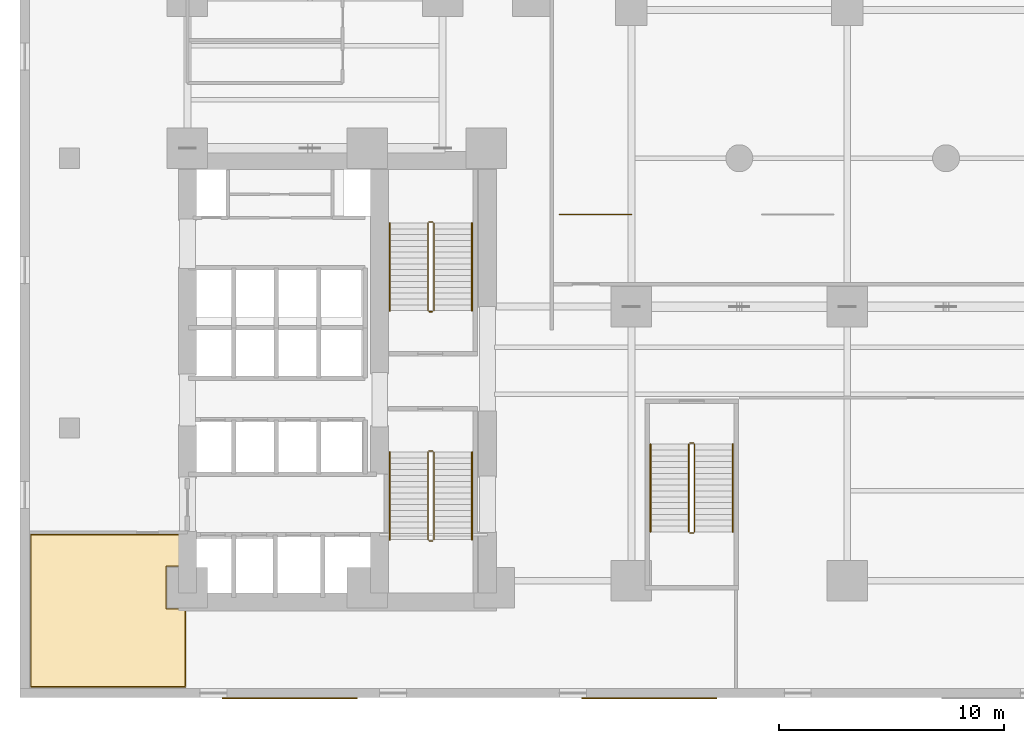
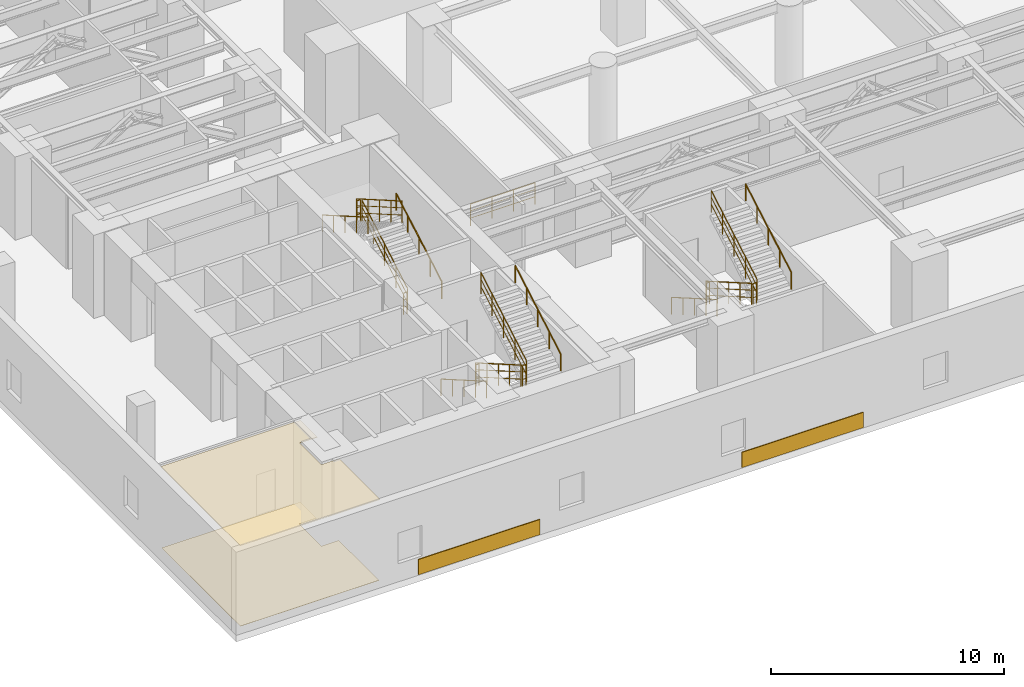
# One storey, part 17 of 18: 19 railings, 4 coverings.
"""IFC4 building model written with IfcOpenShell, lengths in metres."""

import ifcopenshell
import ifcopenshell.guid

model = None  # the IFC model being written
_history = None  # IfcOwnerHistory: only IFC2X3 demands one
_inside = {}  # id of a spatial element -> (the spatial element, [elements in it])
_under = {}  # id of a project, library or spatial element -> (it, [spatial elements below it])
_declared = {}  # id of a project -> (the project, [libraries it declares])
_typed = {}  # id of a type object -> (the type object, [elements of that type])
_made_of = {}  # id of a material, layer set ... -> (it, [elements and type objects made of it])


def new_model(schema):
    """Start an empty IFC model of exactly this schema.

    Asked for "IFC4X3", IfcOpenShell would pick the latest addendum, in which some entities
    have other attributes; the version numbers below select the first issue.
    IFC2X3 requires an IfcOwnerHistory on every rooted entity: one is made here for all.
    """
    global model, _history
    if schema == "IFC4X3":
        model = ifcopenshell.file(schema_version=(4, 3, 0, 0))
    else:
        model = ifcopenshell.file(schema=schema)
    _inside.clear()
    _under.clear()
    _declared.clear()
    _typed.clear()
    _made_of.clear()
    _history = None
    if model.schema == "IFC2X3":
        org = make("IfcOrganization", Name="unknown")
        user = make(
            "IfcPersonAndOrganization",
            ThePerson=make("IfcPerson", FamilyName="unknown"),
            TheOrganization=org,
        )
        app = make(
            "IfcApplication",
            ApplicationDeveloper=org,
            Version="unknown",
            ApplicationFullName="unknown",
            ApplicationIdentifier="unknown",
        )
        _history = make(
            "IfcOwnerHistory",
            OwningUser=user,
            OwningApplication=app,
            ChangeAction="ADDED",
            CreationDate=0,
        )
    return model


def make(cls, **values):
    """One entity of the class cls with the attributes given. An attribute that is None is left unset."""
    return model.create_entity(
        cls, **{name: value for name, value in values.items() if value is not None}
    )


def rooted(cls, **values):
    """An entity with a GlobalId (a new one), such as an element, a storey or a relation."""
    return make(cls, GlobalId=ifcopenshell.guid.new(), OwnerHistory=_history, **values)


def si_unit(unit_type, name, prefix=None):
    """IfcSIUnit, for example si_unit("LENGTHUNIT", "METRE", prefix="MILLI")."""
    return make("IfcSIUnit", UnitType=unit_type, Prefix=prefix, Name=name)


def assignment(units):
    """IfcUnitAssignment: the units of a project."""
    return None if units is None else make("IfcUnitAssignment", Units=units)


def point(xyz):
    """IfcCartesianPoint."""
    return None if xyz is None else make("IfcCartesianPoint", Coordinates=xyz)


def direction(xyz):
    """IfcDirection."""
    return None if xyz is None else make("IfcDirection", DirectionRatios=xyz)


def frame(location, z_axis=None, x_axis=None):
    """IfcAxis2Placement3D, a coordinate frame: its origin and axes. An axis left out is left unset."""
    return make(
        "IfcAxis2Placement3D",
        Location=point(location),
        Axis=direction(z_axis),
        RefDirection=direction(x_axis),
    )


def frame_2d(location, x_axis=None):
    """IfcAxis2Placement2D, a coordinate frame in the plane: its origin and x axis."""
    return make(
        "IfcAxis2Placement2D", Location=point(location), RefDirection=direction(x_axis)
    )


def origin():
    """The frame at (0, 0, 0) with its axes left unset."""
    return frame((0.0, 0.0, 0.0))


def origin_2d():
    """The frame at (0, 0) in the plane with its x axis left unset."""
    return frame_2d((0.0, 0.0))


def place(relative_to, where):
    """IfcLocalPlacement: puts the frame where relative to a parent placement (None: the world)."""
    return make(
        "IfcLocalPlacement", PlacementRelTo=relative_to, RelativePlacement=where
    )


def context(
    kind, dimensions, precision=None, world=None, true_north=None, identifier=None
):
    """IfcGeometricRepresentationContext, for example the 3D "Model" context."""
    return make(
        "IfcGeometricRepresentationContext",
        ContextIdentifier=identifier,
        ContextType=kind,
        CoordinateSpaceDimension=dimensions,
        Precision=precision,
        WorldCoordinateSystem=world,
        TrueNorth=true_north,
    )


def subcontext(parent, identifier, kind, view, scale=None):
    """IfcGeometricRepresentationSubContext, for example "Body" below "Model"."""
    return make(
        "IfcGeometricRepresentationSubContext",
        ContextIdentifier=identifier,
        ContextType=kind,
        ParentContext=parent,
        TargetScale=scale,
        TargetView=view,
    )


def project(units=None, contexts=None):
    """IfcProject with its units and contexts."""
    return rooted(
        "IfcProject",
        Name="project",
        RepresentationContexts=contexts,
        UnitsInContext=assignment(units),
    )


def spatial(cls, under=None, at=None, **own):
    """A site, building, storey or space (cls), placed at a placement, below another one or the project."""
    s = rooted(cls, ObjectPlacement=at, **own)
    if under is not None:
        _under.setdefault(under.id(), (under, []))[1].append(s)
    return s


def polyline(points):
    """IfcPolyline through the points."""
    return make("IfcPolyline", Points=[point(p) for p in points])


def profile(cls, at=None, kind="AREA", **sizes):
    """A parametric profile (cls). Its sizes go by their IFC names, for example OverallWidth=200.0."""
    return make(cls, ProfileType=kind, Position=at, **sizes)


def rectangle(**sizes):
    """IfcRectangleProfileDef."""
    return profile("IfcRectangleProfileDef", **sizes)


def circle(**sizes):
    """IfcCircleProfileDef."""
    return profile("IfcCircleProfileDef", **sizes)


def outline(outer, holes=None, kind="AREA"):
    """IfcArbitraryClosedProfileDef: a profile drawn as a closed curve; with holes, ...WithVoids."""
    if holes is None:
        return make("IfcArbitraryClosedProfileDef", ProfileType=kind, OuterCurve=outer)
    return make(
        "IfcArbitraryProfileDefWithVoids",
        ProfileType=kind,
        OuterCurve=outer,
        InnerCurves=holes,
    )


def extrude(swept, where, along, depth):
    """IfcExtrudedAreaSolid: the profile swept, set in the frame where, extruded along a direction by depth."""
    return make(
        "IfcExtrudedAreaSolid",
        SweptArea=swept,
        Position=where,
        ExtrudedDirection=direction(along),
        Depth=depth,
    )


def shape(context_of_items, identifier, shape_type, items):
    """IfcShapeRepresentation: the items that make up one representation, for example the "Body"."""
    return make(
        "IfcShapeRepresentation",
        ContextOfItems=context_of_items,
        RepresentationIdentifier=identifier,
        RepresentationType=shape_type,
        Items=items,
    )


def material(Name=None, Category=None):
    """IfcMaterial."""
    return make("IfcMaterial", Name=Name, Category=Category)


def layer(
    of_material, thickness, ventilated=None, Name=None, Category=None, Priority=None
):
    """IfcMaterialLayer: one layer of a wall or slab, of a material (None: an air gap)."""
    return make(
        "IfcMaterialLayer",
        Material=of_material,
        LayerThickness=thickness,
        IsVentilated=ventilated,
        Name=Name,
        Category=Category,
        Priority=Priority,
    )


def layer_set(layers, Name=None):
    """IfcMaterialLayerSet."""
    return make("IfcMaterialLayerSet", MaterialLayers=layers, LayerSetName=Name)


def made_of(thing, what):
    """Note that an element or type object is made of a material, layer set ...; save() writes the relation."""
    if what is not None:
        _made_of.setdefault(what.id(), (what, []))[1].append(thing)
    return thing


def type_object(cls, material=None, **own):
    """A type object (cls), such as IfcWallType, which elements share."""
    return made_of(rooted(cls, **own), material)


def element(
    cls,
    number,
    at=None,
    inside=None,
    cuts=None,
    type_object=None,
    material=None,
    context=None,
    identifier="Body",
    shape_type=None,
    held_by="IfcProductDefinitionShape",
    body=None,
    shapes=None,
    **own,
):
    """One element of the class cls, such as IfcWall. Its Tag is "e" and its number.

    at: its placement. inside: the storey or other place that contains it. cuts: it is an
    opening in that element (IfcRelVoidsElement). A single representation is given by context,
    identifier, shape_type and body (its items); several are given by shapes. held_by: the class
    of the entity that holds the representations. save() writes the other relations.
    """
    e = rooted(cls, Tag="e%d" % number, ObjectPlacement=at, **own)
    if body is not None:
        shapes = [shape(context, identifier, shape_type, body)]
    if shapes is not None:
        e.Representation = make(held_by, Representations=shapes)
    if inside is not None:
        _inside.setdefault(inside.id(), (inside, []))[1].append(e)
    if cuts is not None:
        rooted(
            "IfcRelVoidsElement", RelatingBuildingElement=cuts, RelatedOpeningElement=e
        )
    if type_object is not None:
        _typed.setdefault(type_object.id(), (type_object, []))[1].append(e)
    return made_of(e, material)


def aggregate(whole, parts):
    """IfcRelAggregates: a whole, such as a stair, and the parts it consists of."""
    return rooted("IfcRelAggregates", RelatingObject=whole, RelatedObjects=parts)


def save(model, path):
    """Write the relations noted so far, then the file.

    IfcRelAggregates (storeys below a building ...), IfcRelContainedInSpatialStructure (elements
    in a storey), IfcRelDefinesByType, IfcRelAssociatesMaterial and IfcRelDeclares: one each for
    every whole, place, type object, material and project.
    """
    for whole, parts in _under.values():
        aggregate(whole, parts)
    for where, things in _inside.values():
        rooted(
            "IfcRelContainedInSpatialStructure",
            RelatedElements=things,
            RelatingStructure=where,
        )
    for kind, things in _typed.values():
        rooted("IfcRelDefinesByType", RelatedObjects=things, RelatingType=kind)
    for what, things in _made_of.values():
        rooted("IfcRelAssociatesMaterial", RelatedObjects=things, RelatingMaterial=what)
    for by, libraries in _declared.values():
        rooted("IfcRelDeclares", RelatingContext=by, RelatedDefinitions=libraries)
    model.write(path)


model = new_model("IFC4")

# Units and contexts
model_context = context("Model", 3, precision=1e-05, world=origin(), true_north=direction((0.0, 1.0)))
body_context = subcontext(model_context, "Body", "Model", "MODEL_VIEW")
ifc_project = project(units=[si_unit("LENGTHUNIT", "METRE"), si_unit("AREAUNIT", "SQUARE_METRE"), si_unit("VOLUMEUNIT", "CUBIC_METRE"), si_unit("PLANEANGLEUNIT", "RADIAN"), si_unit("MASSUNIT", "GRAM", prefix="KILO")], contexts=[model_context])

# Site, building, storey
site_placement = place(None, origin())
site = spatial("IfcSite", under=ifc_project, at=site_placement, CompositionType="ELEMENT")
building_placement = place(site_placement, origin())
building = spatial("IfcBuilding", under=site, at=building_placement, Name="Kolvaren Waterfront Exchange", CompositionType="ELEMENT")
storey_placement = place(building_placement, frame((0.0, 0.0, 24.800048828125)))
storey = spatial("IfcBuildingStorey", under=building, at=storey_placement, Name="L06", CompositionType="ELEMENT", Elevation=24.800048828125)

# Railing
ifc_material_1 = material(Name="Anodised bronze aluminium and laminated glass", Category="aluminium")
railing_type_1 = type_object("IfcRailingType", Name="ARC-BALUSTRADE-1150", PredefinedType="BALUSTRADE", material=ifc_material_1)
railing_1_placement = place(storey_placement, frame((24.0, 21.5, 0.0)))
element("IfcRailing", 1, at=railing_1_placement, inside=storey, type_object=railing_type_1, Name="L06 gallery balustrade 1", PredefinedType="BALUSTRADE", context=body_context, shape_type="SweptSolid", body=[
    extrude(circle(Radius=0.02392578125, at=origin_2d()), frame((0.0, 0.0, 1.1259765625), z_axis=(1.0, 0.0, 0.0), x_axis=(0.0, 1.0, 0.0)), (0.0, 0.0, 1.0), 3.199951171875),
    extrude(circle(Radius=0.01611328125, at=origin_2d()), frame((0.0, 0.0, 0.390869140625), z_axis=(1.0, 0.0, 0.0), x_axis=(0.0, 1.0, 0.0)), (0.0, 0.0, 1.0), 3.199951171875),
    extrude(circle(Radius=0.01611328125, at=origin_2d()), frame((0.0, 0.0, 0.7705078125), z_axis=(1.0, 0.0, 0.0), x_axis=(0.0, 1.0, 0.0)), (0.0, 0.0, 1.0), 3.199951171875),
    extrude(circle(Radius=0.02099609375, at=origin_2d()), origin(), (0.0, 0.0, 1.0), 1.101806640625),
    extrude(circle(Radius=0.02099609375, at=origin_2d()), frame((1.066650390625, 0.0, 0.0)), (0.0, 0.0, 1.0), 1.101806640625),
    extrude(circle(Radius=0.02099609375, at=origin_2d()), frame((2.13330078125, 0.0, 0.0)), (0.0, 0.0, 1.0), 1.101806640625),
    extrude(circle(Radius=0.02099609375, at=origin_2d()), frame((3.199951171875, 0.0, 0.0)), (0.0, 0.0, 1.0), 1.101806640625),
])

# Coverings
ifc_material_2 = material(Name="Mineral fibre acoustic ceiling tile")
ifc_layer_1 = layer(ifc_material_2, 0.02490234375, Name="Mineral fibre acoustic ceiling tile")
ifc_layer_set_1 = layer_set([ifc_layer_1], Name="Mineral fibre acoustic ceiling tile")
covering_type_1 = type_object("IfcCoveringType", Name="ARC-CEIL-ACOUSTIC-25", PredefinedType="CEILING", material=ifc_layer_set_1)
covering_1_placement = place(storey_placement, frame((0.0, 0.0, 4.23486328125)))
element("IfcCovering", 2, at=covering_1_placement, inside=storey, type_object=covering_type_1, Name="L06 acoustic suspended ceiling 1", PredefinedType="CEILING", context=body_context, shape_type="SweptSolid", body=[
    extrude(outline(polyline([(7.385009765625, 3.9599609375), (6.510009765625, 3.9599609375), (6.510009765625, 5.840087890625), (7.385009765625, 5.840087890625), (7.385009765625, 7.284912109375), (0.465087890625, 7.284912109375), (0.465087890625, 0.465087890625), (7.385009765625, 0.465087890625), (7.385009765625, 3.9599609375)])), origin(), (0.0, 0.0, 1.0), 0.025146484375),
])
ifc_material_3 = material(Name="Honed grey-taupe granite stone", Category="masonry")
ifc_layer_2 = layer(ifc_material_3, 0.044921875, Name="Honed grey-taupe granite stone")
ifc_layer_set_2 = layer_set([ifc_layer_2], Name="Honed grey-taupe granite stone")
covering_type_2 = type_object("IfcCoveringType", Name="ARC-CLAD-GRANITE-45", PredefinedType="CLADDING", material=ifc_layer_set_2)
for number, where, z_axis, x_axis, name in (
    (3, (12.0, -0.02001953125, 0.0498046875), (0.0, 0.0, 1.0), (1.0, 0.0, 0.0), "L06 honed grey-taupe granite spandrel cladding S1"),
    (4, (28.0, -0.02001953125, 0.0498046875), (0.0, 0.0, 1.0), (1.0, 0.0, 0.0), "L06 honed grey-taupe granite spandrel cladding S2"),
):
    element("IfcCovering", number, at=place(storey_placement, frame(where, z_axis=z_axis, x_axis=x_axis)), inside=storey, type_object=covering_type_2, Name=name, PredefinedType="CLADDING", context=body_context, shape_type="SweptSolid", body=[
        extrude(rectangle(XDim=6.0, YDim=0.044921875, at=origin_2d()), origin(), (0.0, 0.0, 1.0), 0.800048828125),
    ])
ifc_material_4 = material(Name="Slip-resistant porcelain tile")
ifc_layer_3 = layer(ifc_material_4, 0.014892578125, Name="Slip-resistant porcelain tile")
ifc_layer_set_3 = layer_set([ifc_layer_3], Name="Slip-resistant porcelain tile")
covering_type_3 = type_object("IfcCoveringType", Name="ARC-FLR-PORC-15", PredefinedType="FLOORING", material=ifc_layer_set_3)
covering_2_placement = place(storey_placement, origin())
element("IfcCovering", 5, at=covering_2_placement, inside=storey, type_object=covering_type_3, Name="L06 floor finish 1", PredefinedType="FLOORING", context=body_context, shape_type="SweptSolid", body=[
    extrude(outline(polyline([(0.5, 7.25), (0.5, 0.5), (7.35009765625, 0.5), (7.35009765625, 3.93994140625), (6.489990234375, 3.93994140625), (6.489990234375, 5.860107421875), (7.35009765625, 5.860107421875), (7.35009765625, 7.25), (0.5, 7.25)])), origin(), (0.0, 0.0, 1.0), 0.014892578125),
])

# Railings
ifc_material_5 = material(Name="Stainless steel 316", Category="steel")
railing_type_2 = type_object("IfcRailingType", Name="ARC-GUARD-STAIR", PredefinedType="GUARDRAIL", material=ifc_material_5)
railing_2_placement = place(storey_placement, frame((18.14990234375, 10.929931640625, 0.14990234375)))
element("IfcRailing", 6, at=railing_2_placement, inside=storey, type_object=railing_type_2, Name="L06 ST1 stair guard 1", PredefinedType="GUARDRAIL", context=body_context, shape_type="SweptSolid", body=[
    extrude(circle(Radius=0.02392578125, at=origin_2d()), frame((0.0, 0.0, 1.1259765625), z_axis=(0.0, -0.866180169578, 0.49973184192), x_axis=(1.0, 0.0, 0.0)), (0.0, 0.0, 1.0), 4.50244140625),
    extrude(circle(Radius=0.01611328125, at=origin_2d()), frame((0.0, 0.0, 0.390869140625), z_axis=(0.0, -0.866180169578, 0.49973184192), x_axis=(1.0, 0.0, 0.0)), (0.0, 0.0, 1.0), 4.50244140625),
    extrude(circle(Radius=0.01611328125, at=origin_2d()), frame((0.0, 0.0, 0.7705078125), z_axis=(0.0, -0.866180169578, 0.49973184192), x_axis=(1.0, 0.0, 0.0)), (0.0, 0.0, 1.0), 4.50244140625),
    extrude(circle(Radius=0.02099609375, at=origin_2d()), origin(), (0.0, 0.0, 1.0), 1.101806640625),
    extrude(circle(Radius=0.02099609375, at=origin_2d()), frame((0.0, -0.97509765625, 0.5625)), (0.0, 0.0, 1.0), 1.101806640625),
    extrude(circle(Radius=0.02099609375, at=origin_2d()), frame((0.0, -1.949951171875, 1.125)), (0.0, 0.0, 1.0), 1.101806640625),
    extrude(circle(Radius=0.02099609375, at=origin_2d()), frame((0.0, -2.9248046875, 1.6875)), (0.0, 0.0, 1.0), 1.101806640625),
    extrude(circle(Radius=0.02099609375, at=origin_2d()), frame((0.0, -3.89990234375, 2.25)), (0.0, 0.0, 1.0), 1.101806640625),
])
railing_3_placement = place(storey_placement, frame((18.199951171875, 6.97998046875, 2.39990234375)))
element("IfcRailing", 7, at=railing_3_placement, inside=storey, type_object=railing_type_2, Name="L06 ST1 stair guard 2", PredefinedType="GUARDRAIL", context=body_context, shape_type="SweptSolid", body=[
    extrude(circle(Radius=0.02392578125, at=origin_2d()), frame((0.0, 0.0, 1.1259765625), z_axis=(1.0, 0.0, 0.0), x_axis=(0.0, 1.0, 0.0)), (0.0, 0.0, 1.0), 0.16015625),
    extrude(circle(Radius=0.01611328125, at=origin_2d()), frame((0.0, 0.0, 0.390869140625), z_axis=(1.0, 0.0, 0.0), x_axis=(0.0, 1.0, 0.0)), (0.0, 0.0, 1.0), 0.16015625),
    extrude(circle(Radius=0.01611328125, at=origin_2d()), frame((0.0, 0.0, 0.7705078125), z_axis=(1.0, 0.0, 0.0), x_axis=(0.0, 1.0, 0.0)), (0.0, 0.0, 1.0), 0.16015625),
    extrude(circle(Radius=0.02099609375, at=origin_2d()), origin(), (0.0, 0.0, 1.0), 1.101806640625),
    extrude(circle(Radius=0.02099609375, at=origin_2d()), frame((0.16015625, 0.0, 0.0)), (0.0, 0.0, 1.0), 1.101806640625),
])
railing_4_placement = place(storey_placement, frame((18.409912109375, 7.030029296875, 2.550048828125)))
element("IfcRailing", 8, at=railing_4_placement, inside=storey, type_object=railing_type_2, Name="L06 ST1 stair guard 3", PredefinedType="GUARDRAIL", context=body_context, shape_type="SweptSolid", body=[
    extrude(circle(Radius=0.02392578125, at=origin_2d()), frame((0.0, 0.0, 1.1259765625), z_axis=(0.0, 0.866180169578, 0.49973184192), x_axis=(-1.0, 0.0, 0.0)), (0.0, 0.0, 1.0), 4.50244140625),
    extrude(circle(Radius=0.01611328125, at=origin_2d()), frame((0.0, 0.0, 0.390869140625), z_axis=(0.0, 0.866180169578, 0.49973184192), x_axis=(-1.0, 0.0, 0.0)), (0.0, 0.0, 1.0), 4.50244140625),
    extrude(circle(Radius=0.01611328125, at=origin_2d()), frame((0.0, 0.0, 0.7705078125), z_axis=(0.0, 0.866180169578, 0.49973184192), x_axis=(-1.0, 0.0, 0.0)), (0.0, 0.0, 1.0), 4.50244140625),
    extrude(circle(Radius=0.02099609375, at=origin_2d()), origin(), (0.0, 0.0, 1.0), 1.101806640625),
    extrude(circle(Radius=0.02099609375, at=origin_2d()), frame((0.0, 0.97509765625, 0.5625)), (0.0, 0.0, 1.0), 1.101806640625),
    extrude(circle(Radius=0.02099609375, at=origin_2d()), frame((0.0, 1.949951171875, 1.125)), (0.0, 0.0, 1.0), 1.101806640625),
    extrude(circle(Radius=0.02099609375, at=origin_2d()), frame((0.0, 2.9248046875, 1.6875)), (0.0, 0.0, 1.0), 1.101806640625),
    extrude(circle(Radius=0.02099609375, at=origin_2d()), frame((0.0, 3.89990234375, 2.25)), (0.0, 0.0, 1.0), 1.101806640625),
])
railing_5_placement = place(storey_placement, frame((18.199951171875, 10.97998046875, 0.0)))
element("IfcRailing", 9, at=railing_5_placement, inside=storey, type_object=railing_type_2, Name="L06 ST1 stair guard 4", PredefinedType="GUARDRAIL", context=body_context, shape_type="SweptSolid", body=[
    extrude(circle(Radius=0.02392578125, at=origin_2d()), frame((0.0, 0.0, 1.1259765625), z_axis=(1.0, 0.0, 0.0), x_axis=(0.0, 1.0, 0.0)), (0.0, 0.0, 1.0), 0.16015625),
    extrude(circle(Radius=0.01611328125, at=origin_2d()), frame((0.0, 0.0, 0.390869140625), z_axis=(1.0, 0.0, 0.0), x_axis=(0.0, 1.0, 0.0)), (0.0, 0.0, 1.0), 0.16015625),
    extrude(circle(Radius=0.01611328125, at=origin_2d()), frame((0.0, 0.0, 0.7705078125), z_axis=(1.0, 0.0, 0.0), x_axis=(0.0, 1.0, 0.0)), (0.0, 0.0, 1.0), 0.16015625),
    extrude(circle(Radius=0.02099609375, at=origin_2d()), origin(), (0.0, 0.0, 1.0), 1.101806640625),
    extrude(circle(Radius=0.02099609375, at=origin_2d()), frame((0.16015625, 0.0, 0.0)), (0.0, 0.0, 1.0), 1.101806640625),
])
railing_6_placement = place(storey_placement, frame((18.409912109375, 17.219970703125, 0.14990234375)))
element("IfcRailing", 10, at=railing_6_placement, inside=storey, type_object=railing_type_2, Name="L06 ST2 stair guard 1", PredefinedType="GUARDRAIL", context=body_context, shape_type="SweptSolid", body=[
    extrude(circle(Radius=0.02392578125, at=origin_2d()), frame((0.0, 0.0, 1.1259765625), z_axis=(0.0, 0.866193710181, 0.499708371395), x_axis=(-1.0, 0.0, 0.0)), (0.0, 0.0, 1.0), 4.502685546875),
    extrude(circle(Radius=0.01611328125, at=origin_2d()), frame((0.0, 0.0, 0.390869140625), z_axis=(0.0, 0.866193710181, 0.499708371395), x_axis=(-1.0, 0.0, 0.0)), (0.0, 0.0, 1.0), 4.502685546875),
    extrude(circle(Radius=0.01611328125, at=origin_2d()), frame((0.0, 0.0, 0.7705078125), z_axis=(0.0, 0.866193710181, 0.499708371395), x_axis=(-1.0, 0.0, 0.0)), (0.0, 0.0, 1.0), 4.502685546875),
    extrude(circle(Radius=0.02099609375, at=origin_2d()), origin(), (0.0, 0.0, 1.0), 1.101806640625),
    extrude(circle(Radius=0.02099609375, at=origin_2d()), frame((0.0, 0.97509765625, 0.5625)), (0.0, 0.0, 1.0), 1.101806640625),
    extrude(circle(Radius=0.02099609375, at=origin_2d()), frame((0.0, 1.9501953125, 1.125)), (0.0, 0.0, 1.0), 1.101806640625),
    extrude(circle(Radius=0.02099609375, at=origin_2d()), frame((0.0, 2.925048828125, 1.6875)), (0.0, 0.0, 1.0), 1.101806640625),
    extrude(circle(Radius=0.02099609375, at=origin_2d()), frame((0.0, 3.900146484375, 2.25)), (0.0, 0.0, 1.0), 1.101806640625),
])
railing_7_placement = place(storey_placement, frame((18.360107421875, 21.169921875, 2.39990234375)))
element("IfcRailing", 11, at=railing_7_placement, inside=storey, type_object=railing_type_2, Name="L06 ST2 stair guard 2", PredefinedType="GUARDRAIL", context=body_context, shape_type="SweptSolid", body=[
    extrude(circle(Radius=0.02392578125, at=origin_2d()), frame((0.0, 0.0, 1.1259765625), z_axis=(-1.0, 0.0, 0.0), x_axis=(0.0, -1.0, 0.0)), (0.0, 0.0, 1.0), 0.16015625),
    extrude(circle(Radius=0.01611328125, at=origin_2d()), frame((0.0, 0.0, 0.390869140625), z_axis=(-1.0, 0.0, 0.0), x_axis=(0.0, -1.0, 0.0)), (0.0, 0.0, 1.0), 0.16015625),
    extrude(circle(Radius=0.01611328125, at=origin_2d()), frame((0.0, 0.0, 0.7705078125), z_axis=(-1.0, 0.0, 0.0), x_axis=(0.0, -1.0, 0.0)), (0.0, 0.0, 1.0), 0.16015625),
    extrude(circle(Radius=0.02099609375, at=origin_2d()), origin(), (0.0, 0.0, 1.0), 1.101806640625),
    extrude(circle(Radius=0.02099609375, at=origin_2d()), frame((-0.16015625, 0.0, 0.0)), (0.0, 0.0, 1.0), 1.101806640625),
])
railing_8_placement = place(storey_placement, frame((18.14990234375, 21.1201171875, 2.550048828125)))
element("IfcRailing", 12, at=railing_8_placement, inside=storey, type_object=railing_type_2, Name="L06 ST2 stair guard 3", PredefinedType="GUARDRAIL", context=body_context, shape_type="SweptSolid", body=[
    extrude(circle(Radius=0.02392578125, at=origin_2d()), frame((0.0, 0.0, 1.1259765625), z_axis=(0.0, -0.866193710181, 0.499708371395), x_axis=(1.0, 0.0, 0.0)), (0.0, 0.0, 1.0), 4.502685546875),
    extrude(circle(Radius=0.01611328125, at=origin_2d()), frame((0.0, 0.0, 0.390869140625), z_axis=(0.0, -0.866193710181, 0.499708371395), x_axis=(1.0, 0.0, 0.0)), (0.0, 0.0, 1.0), 4.502685546875),
    extrude(circle(Radius=0.01611328125, at=origin_2d()), frame((0.0, 0.0, 0.7705078125), z_axis=(0.0, -0.866193710181, 0.499708371395), x_axis=(1.0, 0.0, 0.0)), (0.0, 0.0, 1.0), 4.502685546875),
    extrude(circle(Radius=0.02099609375, at=origin_2d()), origin(), (0.0, 0.0, 1.0), 1.101806640625),
    extrude(circle(Radius=0.02099609375, at=origin_2d()), frame((0.0, -0.97509765625, 0.5625)), (0.0, 0.0, 1.0), 1.101806640625),
    extrude(circle(Radius=0.02099609375, at=origin_2d()), frame((0.0, -1.9501953125, 1.125)), (0.0, 0.0, 1.0), 1.101806640625),
    extrude(circle(Radius=0.02099609375, at=origin_2d()), frame((0.0, -2.925048828125, 1.6875)), (0.0, 0.0, 1.0), 1.101806640625),
    extrude(circle(Radius=0.02099609375, at=origin_2d()), frame((0.0, -3.900146484375, 2.25)), (0.0, 0.0, 1.0), 1.101806640625),
])
railing_9_placement = place(storey_placement, frame((18.360107421875, 17.169921875, 0.0)))
element("IfcRailing", 13, at=railing_9_placement, inside=storey, type_object=railing_type_2, Name="L06 ST2 stair guard 4", PredefinedType="GUARDRAIL", context=body_context, shape_type="SweptSolid", body=[
    extrude(circle(Radius=0.02392578125, at=origin_2d()), frame((0.0, 0.0, 1.1259765625), z_axis=(-1.0, 0.0, 0.0), x_axis=(0.0, -1.0, 0.0)), (0.0, 0.0, 1.0), 0.16015625),
    extrude(circle(Radius=0.01611328125, at=origin_2d()), frame((0.0, 0.0, 0.390869140625), z_axis=(-1.0, 0.0, 0.0), x_axis=(0.0, -1.0, 0.0)), (0.0, 0.0, 1.0), 0.16015625),
    extrude(circle(Radius=0.01611328125, at=origin_2d()), frame((0.0, 0.0, 0.7705078125), z_axis=(-1.0, 0.0, 0.0), x_axis=(0.0, -1.0, 0.0)), (0.0, 0.0, 1.0), 0.16015625),
    extrude(circle(Radius=0.02099609375, at=origin_2d()), origin(), (0.0, 0.0, 1.0), 1.101806640625),
    extrude(circle(Radius=0.02099609375, at=origin_2d()), frame((-0.16015625, 0.0, 0.0)), (0.0, 0.0, 1.0), 1.101806640625),
])
railing_10_placement = place(storey_placement, frame((29.75, 11.280029296875, 0.14990234375)))
element("IfcRailing", 14, at=railing_10_placement, inside=storey, type_object=railing_type_2, Name="L06 ST3 stair guard 1", PredefinedType="GUARDRAIL", context=body_context, shape_type="SweptSolid", body=[
    extrude(circle(Radius=0.02392578125, at=origin_2d()), frame((0.0, 0.0, 1.1259765625), z_axis=(0.0, -0.866193710181, 0.499708371395), x_axis=(1.0, 0.0, 0.0)), (0.0, 0.0, 1.0), 4.502685546875),
    extrude(circle(Radius=0.01611328125, at=origin_2d()), frame((0.0, 0.0, 0.390869140625), z_axis=(0.0, -0.866193710181, 0.499708371395), x_axis=(1.0, 0.0, 0.0)), (0.0, 0.0, 1.0), 4.502685546875),
    extrude(circle(Radius=0.01611328125, at=origin_2d()), frame((0.0, 0.0, 0.7705078125), z_axis=(0.0, -0.866193710181, 0.499708371395), x_axis=(1.0, 0.0, 0.0)), (0.0, 0.0, 1.0), 4.502685546875),
    extrude(circle(Radius=0.02099609375, at=origin_2d()), origin(), (0.0, 0.0, 1.0), 1.101806640625),
    extrude(circle(Radius=0.02099609375, at=origin_2d()), frame((0.0, -0.97509765625, 0.5625)), (0.0, 0.0, 1.0), 1.101806640625),
    extrude(circle(Radius=0.02099609375, at=origin_2d()), frame((0.0, -1.9501953125, 1.125)), (0.0, 0.0, 1.0), 1.101806640625),
    extrude(circle(Radius=0.02099609375, at=origin_2d()), frame((0.0, -2.925048828125, 1.6875)), (0.0, 0.0, 1.0), 1.101806640625),
    extrude(circle(Radius=0.02099609375, at=origin_2d()), frame((0.0, -3.900146484375, 2.25)), (0.0, 0.0, 1.0), 1.101806640625),
])
railing_11_placement = place(storey_placement, frame((29.800048828125, 7.330078125, 2.39990234375)))
element("IfcRailing", 15, at=railing_11_placement, inside=storey, type_object=railing_type_2, Name="L06 ST3 stair guard 2", PredefinedType="GUARDRAIL", context=body_context, shape_type="SweptSolid", body=[
    extrude(circle(Radius=0.02392578125, at=origin_2d()), frame((0.0, 0.0, 1.1259765625), z_axis=(1.0, 0.0, 0.0), x_axis=(0.0, 1.0, 0.0)), (0.0, 0.0, 1.0), 0.159912109375),
    extrude(circle(Radius=0.01611328125, at=origin_2d()), frame((0.0, 0.0, 0.390869140625), z_axis=(1.0, 0.0, 0.0), x_axis=(0.0, 1.0, 0.0)), (0.0, 0.0, 1.0), 0.159912109375),
    extrude(circle(Radius=0.01611328125, at=origin_2d()), frame((0.0, 0.0, 0.7705078125), z_axis=(1.0, 0.0, 0.0), x_axis=(0.0, 1.0, 0.0)), (0.0, 0.0, 1.0), 0.159912109375),
    extrude(circle(Radius=0.02099609375, at=origin_2d()), origin(), (0.0, 0.0, 1.0), 1.101806640625),
    extrude(circle(Radius=0.02099609375, at=origin_2d()), frame((0.159912109375, 0.0, 0.0)), (0.0, 0.0, 1.0), 1.101806640625),
])
railing_12_placement = place(storey_placement, frame((30.010009765625, 7.3798828125, 2.550048828125)))
element("IfcRailing", 16, at=railing_12_placement, inside=storey, type_object=railing_type_2, Name="L06 ST3 stair guard 3", PredefinedType="GUARDRAIL", context=body_context, shape_type="SweptSolid", body=[
    extrude(circle(Radius=0.02392578125, at=origin_2d()), frame((0.0, 0.0, 1.1259765625), z_axis=(0.0, 0.866193710181, 0.499708371395), x_axis=(-1.0, 0.0, 0.0)), (0.0, 0.0, 1.0), 4.502685546875),
    extrude(circle(Radius=0.01611328125, at=origin_2d()), frame((0.0, 0.0, 0.390869140625), z_axis=(0.0, 0.866193710181, 0.499708371395), x_axis=(-1.0, 0.0, 0.0)), (0.0, 0.0, 1.0), 4.502685546875),
    extrude(circle(Radius=0.01611328125, at=origin_2d()), frame((0.0, 0.0, 0.7705078125), z_axis=(0.0, 0.866193710181, 0.499708371395), x_axis=(-1.0, 0.0, 0.0)), (0.0, 0.0, 1.0), 4.502685546875),
    extrude(circle(Radius=0.02099609375, at=origin_2d()), origin(), (0.0, 0.0, 1.0), 1.101806640625),
    extrude(circle(Radius=0.02099609375, at=origin_2d()), frame((0.0, 0.97509765625, 0.5625)), (0.0, 0.0, 1.0), 1.101806640625),
    extrude(circle(Radius=0.02099609375, at=origin_2d()), frame((0.0, 1.9501953125, 1.125)), (0.0, 0.0, 1.0), 1.101806640625),
    extrude(circle(Radius=0.02099609375, at=origin_2d()), frame((0.0, 2.925048828125, 1.6875)), (0.0, 0.0, 1.0), 1.101806640625),
    extrude(circle(Radius=0.02099609375, at=origin_2d()), frame((0.0, 3.900146484375, 2.25)), (0.0, 0.0, 1.0), 1.101806640625),
])
railing_13_placement = place(storey_placement, frame((29.800048828125, 11.330078125, 0.0)))
element("IfcRailing", 17, at=railing_13_placement, inside=storey, type_object=railing_type_2, Name="L06 ST3 stair guard 4", PredefinedType="GUARDRAIL", context=body_context, shape_type="SweptSolid", body=[
    extrude(circle(Radius=0.02392578125, at=origin_2d()), frame((0.0, 0.0, 1.1259765625), z_axis=(1.0, 0.0, 0.0), x_axis=(0.0, 1.0, 0.0)), (0.0, 0.0, 1.0), 0.159912109375),
    extrude(circle(Radius=0.01611328125, at=origin_2d()), frame((0.0, 0.0, 0.390869140625), z_axis=(1.0, 0.0, 0.0), x_axis=(0.0, 1.0, 0.0)), (0.0, 0.0, 1.0), 0.159912109375),
    extrude(circle(Radius=0.01611328125, at=origin_2d()), frame((0.0, 0.0, 0.7705078125), z_axis=(1.0, 0.0, 0.0), x_axis=(0.0, 1.0, 0.0)), (0.0, 0.0, 1.0), 0.159912109375),
    extrude(circle(Radius=0.02099609375, at=origin_2d()), origin(), (0.0, 0.0, 1.0), 1.101806640625),
    extrude(circle(Radius=0.02099609375, at=origin_2d()), frame((0.159912109375, 0.0, 0.0)), (0.0, 0.0, 1.0), 1.101806640625),
])
railing_type_3 = type_object("IfcRailingType", Name="ARC-HANDRAIL-900", PredefinedType="HANDRAIL", material=ifc_material_5)
railing_14_placement = place(storey_placement, frame((16.449951171875, 10.929931640625, 0.14990234375)))
element("IfcRailing", 18, at=railing_14_placement, inside=storey, type_object=railing_type_3, Name="L06 ST1 stair handrail 1", PredefinedType="HANDRAIL", context=body_context, shape_type="SweptSolid", body=[
    extrude(circle(Radius=0.02392578125, at=origin_2d()), frame((0.0, 0.0, 0.8759765625), z_axis=(0.0, -0.866180169578, 0.49973184192), x_axis=(1.0, 0.0, 0.0)), (0.0, 0.0, 1.0), 4.50244140625),
    extrude(circle(Radius=0.02099609375, at=origin_2d()), origin(), (0.0, 0.0, 1.0), 0.851806640625),
    extrude(circle(Radius=0.02099609375, at=origin_2d()), frame((0.0, -0.97509765625, 0.5625)), (0.0, 0.0, 1.0), 0.851806640625),
    extrude(circle(Radius=0.02099609375, at=origin_2d()), frame((0.0, -1.949951171875, 1.125)), (0.0, 0.0, 1.0), 0.851806640625),
    extrude(circle(Radius=0.02099609375, at=origin_2d()), frame((0.0, -2.9248046875, 1.6875)), (0.0, 0.0, 1.0), 0.851806640625),
    extrude(circle(Radius=0.02099609375, at=origin_2d()), frame((0.0, -3.89990234375, 2.25)), (0.0, 0.0, 1.0), 0.851806640625),
])
railing_15_placement = place(storey_placement, frame((20.110107421875, 7.030029296875, 2.550048828125)))
element("IfcRailing", 19, at=railing_15_placement, inside=storey, type_object=railing_type_3, Name="L06 ST1 stair handrail 2", PredefinedType="HANDRAIL", context=body_context, shape_type="SweptSolid", body=[
    extrude(circle(Radius=0.02392578125, at=origin_2d()), frame((0.0, 0.0, 0.8759765625), z_axis=(0.0, 0.866180169578, 0.49973184192), x_axis=(-1.0, 0.0, 0.0)), (0.0, 0.0, 1.0), 4.50244140625),
    extrude(circle(Radius=0.02099609375, at=origin_2d()), origin(), (0.0, 0.0, 1.0), 0.851806640625),
    extrude(circle(Radius=0.02099609375, at=origin_2d()), frame((0.0, 0.97509765625, 0.5625)), (0.0, 0.0, 1.0), 0.851806640625),
    extrude(circle(Radius=0.02099609375, at=origin_2d()), frame((0.0, 1.949951171875, 1.125)), (0.0, 0.0, 1.0), 0.851806640625),
    extrude(circle(Radius=0.02099609375, at=origin_2d()), frame((0.0, 2.9248046875, 1.6875)), (0.0, 0.0, 1.0), 0.851806640625),
    extrude(circle(Radius=0.02099609375, at=origin_2d()), frame((0.0, 3.89990234375, 2.25)), (0.0, 0.0, 1.0), 0.851806640625),
])
railing_16_placement = place(storey_placement, frame((20.110107421875, 17.219970703125, 0.14990234375)))
element("IfcRailing", 20, at=railing_16_placement, inside=storey, type_object=railing_type_3, Name="L06 ST2 stair handrail 1", PredefinedType="HANDRAIL", context=body_context, shape_type="SweptSolid", body=[
    extrude(circle(Radius=0.02392578125, at=origin_2d()), frame((0.0, 0.0, 0.8759765625), z_axis=(0.0, 0.866193710181, 0.499708371395), x_axis=(-1.0, 0.0, 0.0)), (0.0, 0.0, 1.0), 4.502685546875),
    extrude(circle(Radius=0.02099609375, at=origin_2d()), origin(), (0.0, 0.0, 1.0), 0.851806640625),
    extrude(circle(Radius=0.02099609375, at=origin_2d()), frame((0.0, 0.97509765625, 0.5625)), (0.0, 0.0, 1.0), 0.851806640625),
    extrude(circle(Radius=0.02099609375, at=origin_2d()), frame((0.0, 1.9501953125, 1.125)), (0.0, 0.0, 1.0), 0.851806640625),
    extrude(circle(Radius=0.02099609375, at=origin_2d()), frame((0.0, 2.925048828125, 1.6875)), (0.0, 0.0, 1.0), 0.851806640625),
    extrude(circle(Radius=0.02099609375, at=origin_2d()), frame((0.0, 3.900146484375, 2.25)), (0.0, 0.0, 1.0), 0.851806640625),
])
for number, where, name in (
    (21, (16.449951171875, 21.1201171875, 2.550048828125), "L06 ST2 stair handrail 2"),
    (22, (28.050048828125, 11.280029296875, 0.14990234375), "L06 ST3 stair handrail 1"),
):
    element("IfcRailing", number, at=place(storey_placement, frame(where)), inside=storey, type_object=railing_type_3, Name=name, PredefinedType="HANDRAIL", context=body_context, shape_type="SweptSolid", body=[
        extrude(circle(Radius=0.02392578125, at=origin_2d()), frame((0.0, 0.0, 0.8759765625), z_axis=(0.0, -0.866193710181, 0.499708371395), x_axis=(1.0, 0.0, 0.0)), (0.0, 0.0, 1.0), 4.502685546875),
        extrude(circle(Radius=0.02099609375, at=origin_2d()), origin(), (0.0, 0.0, 1.0), 0.851806640625),
        extrude(circle(Radius=0.02099609375, at=origin_2d()), frame((0.0, -0.97509765625, 0.5625)), (0.0, 0.0, 1.0), 0.851806640625),
        extrude(circle(Radius=0.02099609375, at=origin_2d()), frame((0.0, -1.9501953125, 1.125)), (0.0, 0.0, 1.0), 0.851806640625),
        extrude(circle(Radius=0.02099609375, at=origin_2d()), frame((0.0, -2.925048828125, 1.6875)), (0.0, 0.0, 1.0), 0.851806640625),
        extrude(circle(Radius=0.02099609375, at=origin_2d()), frame((0.0, -3.900146484375, 2.25)), (0.0, 0.0, 1.0), 0.851806640625),
    ])
railing_17_placement = place(storey_placement, frame((31.7099609375, 7.3798828125, 2.550048828125)))
element("IfcRailing", 23, at=railing_17_placement, inside=storey, type_object=railing_type_3, Name="L06 ST3 stair handrail 2", PredefinedType="HANDRAIL", context=body_context, shape_type="SweptSolid", body=[
    extrude(circle(Radius=0.02392578125, at=origin_2d()), frame((0.0, 0.0, 0.8759765625), z_axis=(0.0, 0.866193710181, 0.499708371395), x_axis=(-1.0, 0.0, 0.0)), (0.0, 0.0, 1.0), 4.502685546875),
    extrude(circle(Radius=0.02099609375, at=origin_2d()), origin(), (0.0, 0.0, 1.0), 0.851806640625),
    extrude(circle(Radius=0.02099609375, at=origin_2d()), frame((0.0, 0.97509765625, 0.5625)), (0.0, 0.0, 1.0), 0.851806640625),
    extrude(circle(Radius=0.02099609375, at=origin_2d()), frame((0.0, 1.9501953125, 1.125)), (0.0, 0.0, 1.0), 0.851806640625),
    extrude(circle(Radius=0.02099609375, at=origin_2d()), frame((0.0, 2.925048828125, 1.6875)), (0.0, 0.0, 1.0), 0.851806640625),
    extrude(circle(Radius=0.02099609375, at=origin_2d()), frame((0.0, 3.900146484375, 2.25)), (0.0, 0.0, 1.0), 0.851806640625),
])

save(model, "model.ifc")
